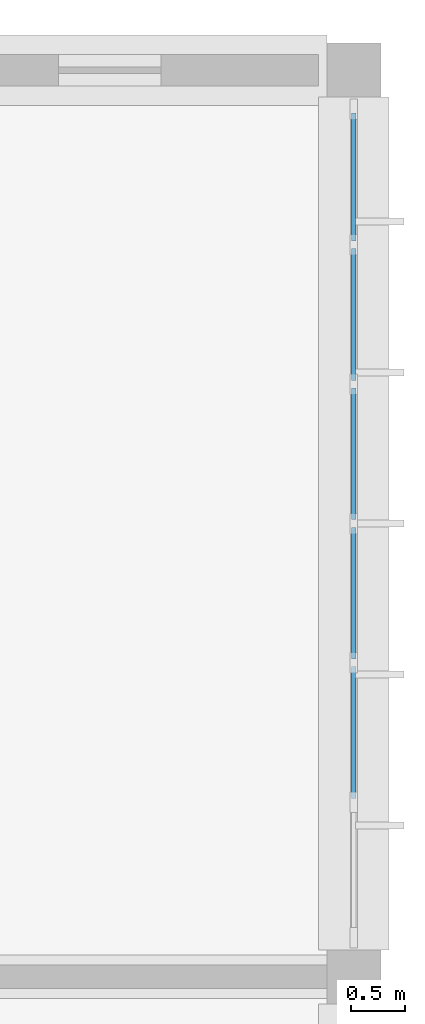
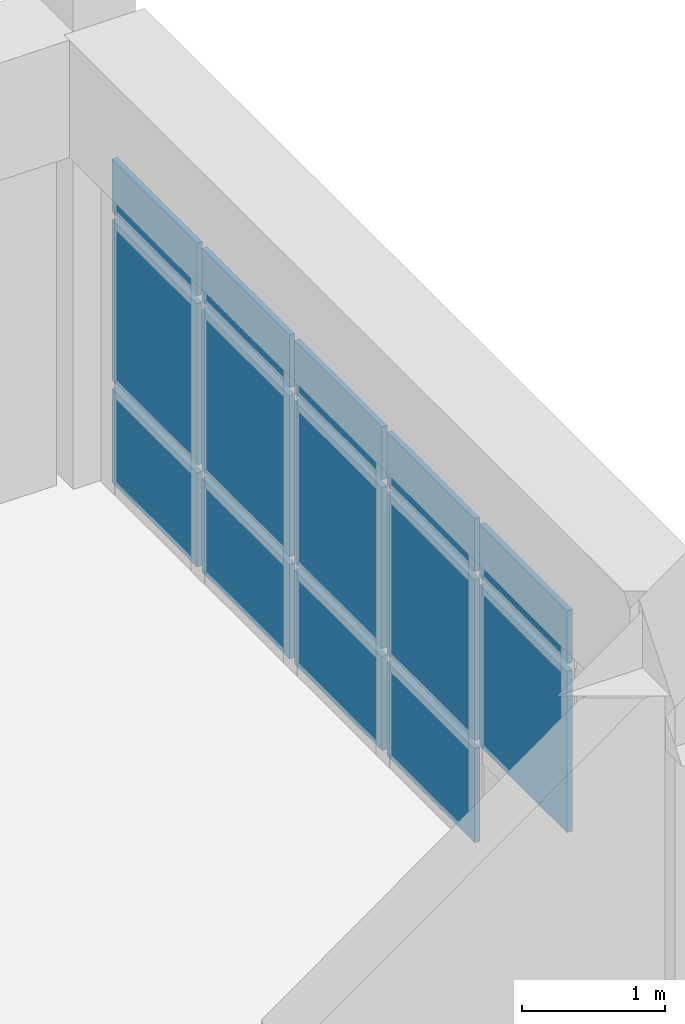
# One storey, part 75 of 119: 14 plates, 1 element without a shape of its own.
"""IFC4 building model written with IfcOpenShell, lengths in metres."""

from ifc_helpers import new_model, si_unit, direction, frame, origin, origin_2d, place, context, subcontext, project, spatial, rectangle, extrude, material, layer, layer_set, type_object, element, aggregate, save


model = new_model("IFC4")

# Units and contexts
model_context = context("Model", 3, precision=1e-05, world=origin(), true_north=direction((0.0, 1.0)))
body_context = subcontext(model_context, "Body", "Model", "MODEL_VIEW")
ifc_project = project(units=[si_unit("LENGTHUNIT", "METRE"), si_unit("AREAUNIT", "SQUARE_METRE"), si_unit("VOLUMEUNIT", "CUBIC_METRE"), si_unit("PLANEANGLEUNIT", "RADIAN"), si_unit("MASSUNIT", "GRAM", prefix="KILO")], contexts=[model_context])

# Site, building, storey
site_placement = place(None, origin())
site = spatial("IfcSite", under=ifc_project, at=site_placement, CompositionType="ELEMENT")
building_placement = place(site_placement, origin())
building = spatial("IfcBuilding", under=site, at=building_placement, Name="Bramfleet General Hospital", CompositionType="ELEMENT")
storey_placement = place(building_placement, frame((0.0, 0.0, 14.39990234375)))
storey = spatial("IfcBuildingStorey", under=building, at=storey_placement, Name="L03", CompositionType="ELEMENT", Elevation=14.39990234375)

# Curtain wall, plates
ifc_material_1 = material(Name="Anodised aluminium and low-E triple glazing", Category="aluminium")
ifc_layer_1 = layer(ifc_material_1, 0.179931640625, Name="CWT-CW-04")
ifc_layer_set_1 = layer_set([ifc_layer_1], Name="Anodised aluminium and low-E triple glazing")
curtain_wall_type = type_object("IfcCurtainWallType", Name="CWT-CW-04", PredefinedType="USERDEFINED", material=ifc_layer_set_1)
curtain_wall_placement = place(storey_placement, origin())
curtain_wall = element("IfcCurtainWall", 1, at=curtain_wall_placement, inside=storey, type_object=curtain_wall_type, Name="L03 Curtain Wall 148", ObjectType="Unitised curtain wall", PredefinedType="USERDEFINED")
ifc_material_2 = material(Name="Low-E laminated safety glass", Category="glass")
ifc_layer_2 = layer(ifc_material_2, 0.0419921875, Name="CWP-GLZ-4")
ifc_layer_set_2 = layer_set([ifc_layer_2], Name="Low-E laminated safety glass")
plate_type = type_object("IfcPlateType", Name="CWP-GLZ-4", PredefinedType="CURTAIN_PANEL", material=ifc_layer_set_2)
plate_1_placement = place(storey_placement, frame((168.0, 116.611572265625, 0.06494140625), z_axis=(0.0, 0.0, 1.0), x_axis=(0.0, -1.0, 0.0)))
plate_1 = element("IfcPlate", 2, at=plate_1_placement, type_object=plate_type, Name="CW-04 panel 1.1", PredefinedType="CURTAIN_PANEL", context=body_context, shape_type="SweptSolid", body=[
    extrude(rectangle(XDim=1.186767578125, YDim=0.0419921875, at=origin_2d()), origin(), (0.0, 0.0, 1.0), 0.802490234375),
])
plate_2_placement = place(storey_placement, frame((168.0, 116.611572265625, 0.9326171875), z_axis=(0.0, 0.0, 1.0), x_axis=(0.0, -1.0, 0.0)))
plate_2 = element("IfcPlate", 3, at=plate_2_placement, type_object=plate_type, Name="CW-04 panel 1.2", PredefinedType="CURTAIN_PANEL", context=body_context, shape_type="SweptSolid", body=[
    extrude(rectangle(XDim=1.186767578125, YDim=0.0419921875, at=origin_2d()), origin(), (0.0, 0.0, 1.0), 1.375),
])
plate_3_placement = place(storey_placement, frame((168.0, 116.611572265625, 2.37255859375), z_axis=(0.0, 0.0, 1.0), x_axis=(0.0, -1.0, 0.0)))
plate_3 = element("IfcPlate", 4, at=plate_3_placement, type_object=plate_type, Name="CW-04 panel 1.3", PredefinedType="CURTAIN_PANEL", context=body_context, shape_type="SweptSolid", body=[
    extrude(rectangle(XDim=1.186767578125, YDim=0.0419921875, at=origin_2d()), origin(), (0.0, 0.0, 1.0), 0.452392578125),
])
plate_4_placement = place(storey_placement, frame((168.0, 115.33740234375, 0.06494140625), z_axis=(0.0, 0.0, 1.0), x_axis=(0.0, -1.0, 0.0)))
plate_4 = element("IfcPlate", 5, at=plate_4_placement, type_object=plate_type, Name="CW-04 panel 2.1", PredefinedType="CURTAIN_PANEL", context=body_context, shape_type="SweptSolid", body=[
    extrude(rectangle(XDim=1.2216796875, YDim=0.0419921875, at=origin_2d()), origin(), (0.0, 0.0, 1.0), 0.802490234375),
])
plate_5_placement = place(storey_placement, frame((168.0, 115.33740234375, 0.9326171875), z_axis=(0.0, 0.0, 1.0), x_axis=(0.0, -1.0, 0.0)))
plate_5 = element("IfcPlate", 6, at=plate_5_placement, type_object=plate_type, Name="CW-04 panel 2.2", PredefinedType="CURTAIN_PANEL", context=body_context, shape_type="SweptSolid", body=[
    extrude(rectangle(XDim=1.2216796875, YDim=0.0419921875, at=origin_2d()), origin(), (0.0, 0.0, 1.0), 1.375),
])
plate_6_placement = place(storey_placement, frame((168.0, 115.33740234375, 2.37255859375), z_axis=(0.0, 0.0, 1.0), x_axis=(0.0, -1.0, 0.0)))
plate_6 = element("IfcPlate", 7, at=plate_6_placement, type_object=plate_type, Name="CW-04 panel 2.3", PredefinedType="CURTAIN_PANEL", context=body_context, shape_type="SweptSolid", body=[
    extrude(rectangle(XDim=1.2216796875, YDim=0.0419921875, at=origin_2d()), origin(), (0.0, 0.0, 1.0), 0.452392578125),
])
plate_7_placement = place(storey_placement, frame((168.0, 114.0458984375, 0.06494140625), z_axis=(0.0, 0.0, 1.0), x_axis=(0.0, -1.0, 0.0)))
plate_7 = element("IfcPlate", 8, at=plate_7_placement, type_object=plate_type, Name="CW-04 panel 3.1", PredefinedType="CURTAIN_PANEL", context=body_context, shape_type="SweptSolid", body=[
    extrude(rectangle(XDim=1.2216796875, YDim=0.0419921875, at=origin_2d()), origin(), (0.0, 0.0, 1.0), 0.802490234375),
])
plate_8_placement = place(storey_placement, frame((168.0, 114.0458984375, 0.9326171875), z_axis=(0.0, 0.0, 1.0), x_axis=(0.0, -1.0, 0.0)))
plate_8 = element("IfcPlate", 9, at=plate_8_placement, type_object=plate_type, Name="CW-04 panel 3.2", PredefinedType="CURTAIN_PANEL", context=body_context, shape_type="SweptSolid", body=[
    extrude(rectangle(XDim=1.2216796875, YDim=0.0419921875, at=origin_2d()), origin(), (0.0, 0.0, 1.0), 1.375),
])
plate_9_placement = place(storey_placement, frame((168.0, 114.0458984375, 2.37255859375), z_axis=(0.0, 0.0, 1.0), x_axis=(0.0, -1.0, 0.0)))
plate_9 = element("IfcPlate", 10, at=plate_9_placement, type_object=plate_type, Name="CW-04 panel 3.3", PredefinedType="CURTAIN_PANEL", context=body_context, shape_type="SweptSolid", body=[
    extrude(rectangle(XDim=1.2216796875, YDim=0.0419921875, at=origin_2d()), origin(), (0.0, 0.0, 1.0), 0.452392578125),
])
plate_10_placement = place(storey_placement, frame((168.0, 112.754150390625, 0.06494140625), z_axis=(0.0, 0.0, 1.0), x_axis=(0.0, -1.0, 0.0)))
plate_10 = element("IfcPlate", 11, at=plate_10_placement, type_object=plate_type, Name="CW-04 panel 4.1", PredefinedType="CURTAIN_PANEL", context=body_context, shape_type="SweptSolid", body=[
    extrude(rectangle(XDim=1.2216796875, YDim=0.0419921875, at=origin_2d()), origin(), (0.0, 0.0, 1.0), 0.802490234375),
])
plate_11_placement = place(storey_placement, frame((168.0, 112.754150390625, 0.9326171875), z_axis=(0.0, 0.0, 1.0), x_axis=(0.0, -1.0, 0.0)))
plate_11 = element("IfcPlate", 12, at=plate_11_placement, type_object=plate_type, Name="CW-04 panel 4.2", PredefinedType="CURTAIN_PANEL", context=body_context, shape_type="SweptSolid", body=[
    extrude(rectangle(XDim=1.2216796875, YDim=0.0419921875, at=origin_2d()), origin(), (0.0, 0.0, 1.0), 1.375),
])
plate_12_placement = place(storey_placement, frame((168.0, 112.754150390625, 2.37255859375), z_axis=(0.0, 0.0, 1.0), x_axis=(0.0, -1.0, 0.0)))
plate_12 = element("IfcPlate", 13, at=plate_12_placement, type_object=plate_type, Name="CW-04 panel 4.3", PredefinedType="CURTAIN_PANEL", context=body_context, shape_type="SweptSolid", body=[
    extrude(rectangle(XDim=1.2216796875, YDim=0.0419921875, at=origin_2d()), origin(), (0.0, 0.0, 1.0), 0.452392578125),
])
plate_13_placement = place(storey_placement, frame((168.0, 111.46240234375, 0.9326171875), z_axis=(0.0, 0.0, 1.0), x_axis=(0.0, -1.0, 0.0)))
plate_13 = element("IfcPlate", 14, at=plate_13_placement, type_object=plate_type, Name="CW-04 panel 5.2", PredefinedType="CURTAIN_PANEL", context=body_context, shape_type="SweptSolid", body=[
    extrude(rectangle(XDim=1.2216796875, YDim=0.0419921875, at=origin_2d()), origin(), (0.0, 0.0, 1.0), 1.375),
])
plate_14_placement = place(storey_placement, frame((168.0, 111.46240234375, 2.37255859375), z_axis=(0.0, 0.0, 1.0), x_axis=(0.0, -1.0, 0.0)))
plate_14 = element("IfcPlate", 15, at=plate_14_placement, type_object=plate_type, Name="CW-04 panel 5.3", PredefinedType="CURTAIN_PANEL", context=body_context, shape_type="SweptSolid", body=[
    extrude(rectangle(XDim=1.2216796875, YDim=0.0419921875, at=origin_2d()), origin(), (0.0, 0.0, 1.0), 0.452392578125),
])
aggregate(curtain_wall, [plate_1, plate_2, plate_3, plate_4, plate_5, plate_6, plate_7, plate_8, plate_9, plate_10, plate_11, plate_12, plate_13, plate_14])

save(model, "model.ifc")
